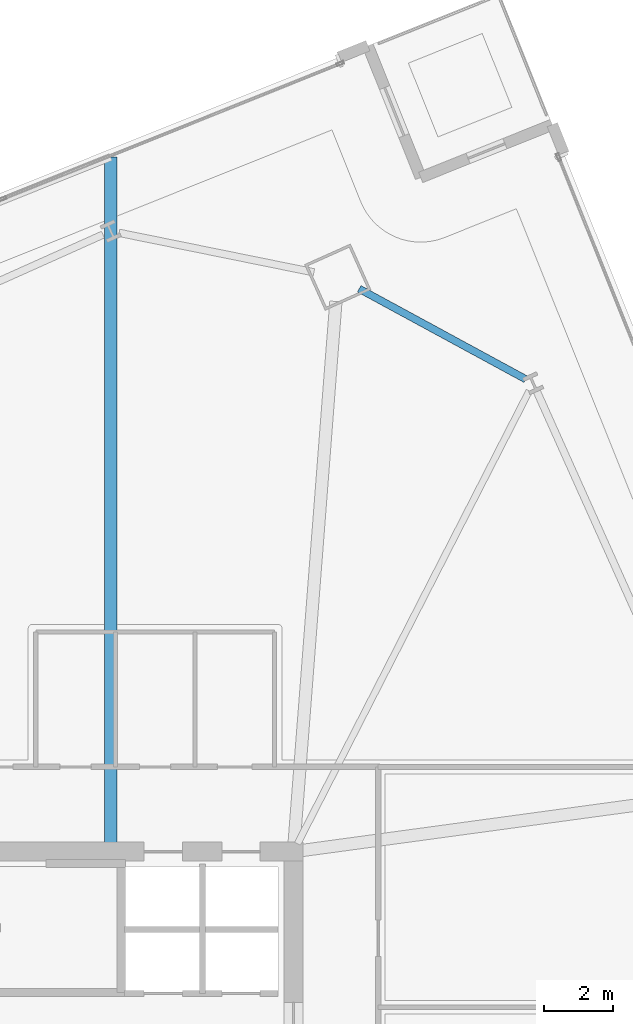
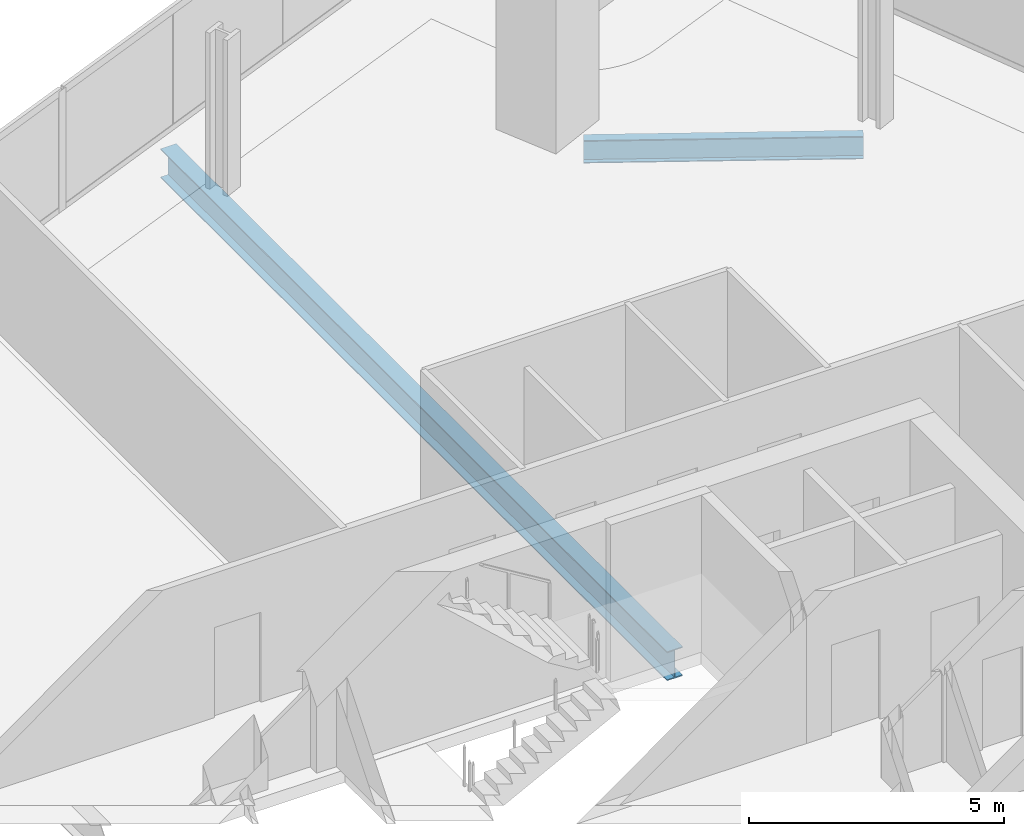
# One storey, part 20 of 33: 2 beams.
"""IFC4 building model written with IfcOpenShell, lengths in metres."""

import ifcopenshell
import ifcopenshell.guid

model = None  # the IFC model being written
_history = None  # IfcOwnerHistory: only IFC2X3 demands one
_inside = {}  # id of a spatial element -> (the spatial element, [elements in it])
_under = {}  # id of a project, library or spatial element -> (it, [spatial elements below it])
_declared = {}  # id of a project -> (the project, [libraries it declares])
_typed = {}  # id of a type object -> (the type object, [elements of that type])
_made_of = {}  # id of a material, layer set ... -> (it, [elements and type objects made of it])


def new_model(schema):
    """Start an empty IFC model of exactly this schema.

    Asked for "IFC4X3", IfcOpenShell would pick the latest addendum, in which some entities
    have other attributes; the version numbers below select the first issue.
    IFC2X3 requires an IfcOwnerHistory on every rooted entity: one is made here for all.
    """
    global model, _history
    if schema == "IFC4X3":
        model = ifcopenshell.file(schema_version=(4, 3, 0, 0))
    else:
        model = ifcopenshell.file(schema=schema)
    _inside.clear()
    _under.clear()
    _declared.clear()
    _typed.clear()
    _made_of.clear()
    _history = None
    if model.schema == "IFC2X3":
        org = make("IfcOrganization", Name="unknown")
        user = make(
            "IfcPersonAndOrganization",
            ThePerson=make("IfcPerson", FamilyName="unknown"),
            TheOrganization=org,
        )
        app = make(
            "IfcApplication",
            ApplicationDeveloper=org,
            Version="unknown",
            ApplicationFullName="unknown",
            ApplicationIdentifier="unknown",
        )
        _history = make(
            "IfcOwnerHistory",
            OwningUser=user,
            OwningApplication=app,
            ChangeAction="ADDED",
            CreationDate=0,
        )
    return model


def make(cls, **values):
    """One entity of the class cls with the attributes given. An attribute that is None is left unset."""
    return model.create_entity(
        cls, **{name: value for name, value in values.items() if value is not None}
    )


def rooted(cls, **values):
    """An entity with a GlobalId (a new one), such as an element, a storey or a relation."""
    return make(cls, GlobalId=ifcopenshell.guid.new(), OwnerHistory=_history, **values)


def si_unit(unit_type, name, prefix=None):
    """IfcSIUnit, for example si_unit("LENGTHUNIT", "METRE", prefix="MILLI")."""
    return make("IfcSIUnit", UnitType=unit_type, Prefix=prefix, Name=name)


def assignment(units):
    """IfcUnitAssignment: the units of a project."""
    return None if units is None else make("IfcUnitAssignment", Units=units)


def point(xyz):
    """IfcCartesianPoint."""
    return None if xyz is None else make("IfcCartesianPoint", Coordinates=xyz)


def direction(xyz):
    """IfcDirection."""
    return None if xyz is None else make("IfcDirection", DirectionRatios=xyz)


def frame(location, z_axis=None, x_axis=None):
    """IfcAxis2Placement3D, a coordinate frame: its origin and axes. An axis left out is left unset."""
    return make(
        "IfcAxis2Placement3D",
        Location=point(location),
        Axis=direction(z_axis),
        RefDirection=direction(x_axis),
    )


def frame_2d(location, x_axis=None):
    """IfcAxis2Placement2D, a coordinate frame in the plane: its origin and x axis."""
    return make(
        "IfcAxis2Placement2D", Location=point(location), RefDirection=direction(x_axis)
    )


def origin():
    """The frame at (0, 0, 0) with its axes left unset."""
    return frame((0.0, 0.0, 0.0))


def origin_2d():
    """The frame at (0, 0) in the plane with its x axis left unset."""
    return frame_2d((0.0, 0.0))


def place(relative_to, where):
    """IfcLocalPlacement: puts the frame where relative to a parent placement (None: the world)."""
    return make(
        "IfcLocalPlacement", PlacementRelTo=relative_to, RelativePlacement=where
    )


def context(
    kind, dimensions, precision=None, world=None, true_north=None, identifier=None
):
    """IfcGeometricRepresentationContext, for example the 3D "Model" context."""
    return make(
        "IfcGeometricRepresentationContext",
        ContextIdentifier=identifier,
        ContextType=kind,
        CoordinateSpaceDimension=dimensions,
        Precision=precision,
        WorldCoordinateSystem=world,
        TrueNorth=true_north,
    )


def subcontext(parent, identifier, kind, view, scale=None):
    """IfcGeometricRepresentationSubContext, for example "Body" below "Model"."""
    return make(
        "IfcGeometricRepresentationSubContext",
        ContextIdentifier=identifier,
        ContextType=kind,
        ParentContext=parent,
        TargetScale=scale,
        TargetView=view,
    )


def project(units=None, contexts=None):
    """IfcProject with its units and contexts."""
    return rooted(
        "IfcProject",
        Name="project",
        RepresentationContexts=contexts,
        UnitsInContext=assignment(units),
    )


def spatial(cls, under=None, at=None, **own):
    """A site, building, storey or space (cls), placed at a placement, below another one or the project."""
    s = rooted(cls, ObjectPlacement=at, **own)
    if under is not None:
        _under.setdefault(under.id(), (under, []))[1].append(s)
    return s


def profile(cls, at=None, kind="AREA", **sizes):
    """A parametric profile (cls). Its sizes go by their IFC names, for example OverallWidth=200.0."""
    return make(cls, ProfileType=kind, Position=at, **sizes)


def i_section(**sizes):
    """IfcIShapeProfileDef."""
    return profile("IfcIShapeProfileDef", **sizes)


def extrude(swept, where, along, depth):
    """IfcExtrudedAreaSolid: the profile swept, set in the frame where, extruded along a direction by depth."""
    return make(
        "IfcExtrudedAreaSolid",
        SweptArea=swept,
        Position=where,
        ExtrudedDirection=direction(along),
        Depth=depth,
    )


def shape(context_of_items, identifier, shape_type, items):
    """IfcShapeRepresentation: the items that make up one representation, for example the "Body"."""
    return make(
        "IfcShapeRepresentation",
        ContextOfItems=context_of_items,
        RepresentationIdentifier=identifier,
        RepresentationType=shape_type,
        Items=items,
    )


def material(Name=None, Category=None):
    """IfcMaterial."""
    return make("IfcMaterial", Name=Name, Category=Category)


def material_profile(
    of_material, cross_section, Name=None, Category=None, Priority=None
):
    """IfcMaterialProfile: a cross section and its material."""
    return make(
        "IfcMaterialProfile",
        Name=Name,
        Material=of_material,
        Profile=cross_section,
        Priority=Priority,
        Category=Category,
    )


def profile_set(profiles, Name=None, composite=None):
    """IfcMaterialProfileSet."""
    return make(
        "IfcMaterialProfileSet",
        Name=Name,
        MaterialProfiles=profiles,
        CompositeProfile=composite,
    )


def made_of(thing, what):
    """Note that an element or type object is made of a material, layer set ...; save() writes the relation."""
    if what is not None:
        _made_of.setdefault(what.id(), (what, []))[1].append(thing)
    return thing


def type_object(cls, material=None, **own):
    """A type object (cls), such as IfcWallType, which elements share."""
    return made_of(rooted(cls, **own), material)


def element(
    cls,
    number,
    at=None,
    inside=None,
    cuts=None,
    type_object=None,
    material=None,
    context=None,
    identifier="Body",
    shape_type=None,
    held_by="IfcProductDefinitionShape",
    body=None,
    shapes=None,
    **own,
):
    """One element of the class cls, such as IfcWall. Its Tag is "e" and its number.

    at: its placement. inside: the storey or other place that contains it. cuts: it is an
    opening in that element (IfcRelVoidsElement). A single representation is given by context,
    identifier, shape_type and body (its items); several are given by shapes. held_by: the class
    of the entity that holds the representations. save() writes the other relations.
    """
    e = rooted(cls, Tag="e%d" % number, ObjectPlacement=at, **own)
    if body is not None:
        shapes = [shape(context, identifier, shape_type, body)]
    if shapes is not None:
        e.Representation = make(held_by, Representations=shapes)
    if inside is not None:
        _inside.setdefault(inside.id(), (inside, []))[1].append(e)
    if cuts is not None:
        rooted(
            "IfcRelVoidsElement", RelatingBuildingElement=cuts, RelatedOpeningElement=e
        )
    if type_object is not None:
        _typed.setdefault(type_object.id(), (type_object, []))[1].append(e)
    return made_of(e, material)


def aggregate(whole, parts):
    """IfcRelAggregates: a whole, such as a stair, and the parts it consists of."""
    return rooted("IfcRelAggregates", RelatingObject=whole, RelatedObjects=parts)


def save(model, path):
    """Write the relations noted so far, then the file.

    IfcRelAggregates (storeys below a building ...), IfcRelContainedInSpatialStructure (elements
    in a storey), IfcRelDefinesByType, IfcRelAssociatesMaterial and IfcRelDeclares: one each for
    every whole, place, type object, material and project.
    """
    for whole, parts in _under.values():
        aggregate(whole, parts)
    for where, things in _inside.values():
        rooted(
            "IfcRelContainedInSpatialStructure",
            RelatedElements=things,
            RelatingStructure=where,
        )
    for kind, things in _typed.values():
        rooted("IfcRelDefinesByType", RelatedObjects=things, RelatingType=kind)
    for what, things in _made_of.values():
        rooted("IfcRelAssociatesMaterial", RelatedObjects=things, RelatingMaterial=what)
    for by, libraries in _declared.values():
        rooted("IfcRelDeclares", RelatingContext=by, RelatedDefinitions=libraries)
    model.write(path)


model = new_model("IFC4")

# Units and contexts
model_context = context("Model", 3, precision=1e-05, world=origin(), true_north=direction((0.0, 1.0)))
body_context = subcontext(model_context, "Body", "Model", "MODEL_VIEW")
ifc_project = project(units=[si_unit("LENGTHUNIT", "METRE"), si_unit("AREAUNIT", "SQUARE_METRE"), si_unit("VOLUMEUNIT", "CUBIC_METRE"), si_unit("PLANEANGLEUNIT", "RADIAN"), si_unit("MASSUNIT", "GRAM", prefix="KILO")], contexts=[model_context])

# Site, building, storey
site_placement = place(None, origin())
site = spatial("IfcSite", under=ifc_project, at=site_placement, CompositionType="ELEMENT")
building_placement = place(site_placement, origin())
building = spatial("IfcBuilding", under=site, at=building_placement, Name="Haldenkirk Collegiate Tower", CompositionType="ELEMENT")
storey_placement = place(building_placement, frame((0.0, 0.0, 101.699951171875)))
storey = spatial("IfcBuildingStorey", under=building, at=storey_placement, Name="L24", CompositionType="ELEMENT", Elevation=101.699951171875)

# Beams
ifc_material = material(Name="Steel ASTM A992 Grade 50", Category="steel")
ifc_material_profile_1 = material_profile(ifc_material, i_section(OverallWidth=0.35498046875, OverallDepth=0.696044921875, WebThickness=0.015380859375, FlangeThickness=0.02490234375, at=origin_2d()), Name="W27X146")
ifc_profile_set_1 = profile_set([ifc_material_profile_1], Name="Steel ASTM A992 Grade 50")
beam_type_1 = type_object("IfcBeamType", Name="BM-GIRDER-W27X146", PredefinedType="BEAM", material=ifc_profile_set_1)
beam_1_placement = place(storey_placement, frame((39.71630859375, 54.080322265625, -0.64794921875), z_axis=(0.0, -1.0, 0.0), x_axis=(1.0, 0.0, 0.0)))
element("IfcBeam", 1, at=beam_1_placement, inside=storey, type_object=beam_type_1, Name="L24 primary floor girder 11", PredefinedType="BEAM", context=body_context, shape_type="SweptSolid", body=[
    extrude(i_section(OverallWidth=0.35498046875, OverallDepth=0.696044921875, WebThickness=0.015380859375, FlangeThickness=0.02490234375, at=origin_2d()), origin(), (0.0, 0.0, 1.0), 19.825439453125),
])
ifc_material_profile_2 = material_profile(ifc_material, i_section(OverallWidth=0.2119140625, OverallDepth=0.5439453125, WebThickness=0.01318359375, FlangeThickness=0.021240234375, at=origin_2d()), Name="W21X83")
ifc_profile_set_2 = profile_set([ifc_material_profile_2], Name="Steel ASTM A992 Grade 50")
beam_type_2 = type_object("IfcBeamType", Name="BM-SPANDREL-W21X83", PredefinedType="SPANDREL", material=ifc_profile_set_2)
beam_2_placement = place(storey_placement, frame((51.714599609375, 47.66015625, -0.572021484375), z_axis=(-0.878835810931, 0.477124320723, 0.0), x_axis=(-0.477124320723, -0.878835810931, 0.0)))
element("IfcBeam", 2, at=beam_2_placement, inside=storey, type_object=beam_type_2, Name="L24 perimeter spandrel beam 08", PredefinedType="SPANDREL", context=body_context, shape_type="SweptSolid", body=[
    extrude(i_section(OverallWidth=0.2119140625, OverallDepth=0.5439453125, WebThickness=0.01318359375, FlangeThickness=0.021240234375, at=origin_2d()), origin(), (0.0, 0.0, 1.0), 5.477783203125),
])

save(model, "model.ifc")
